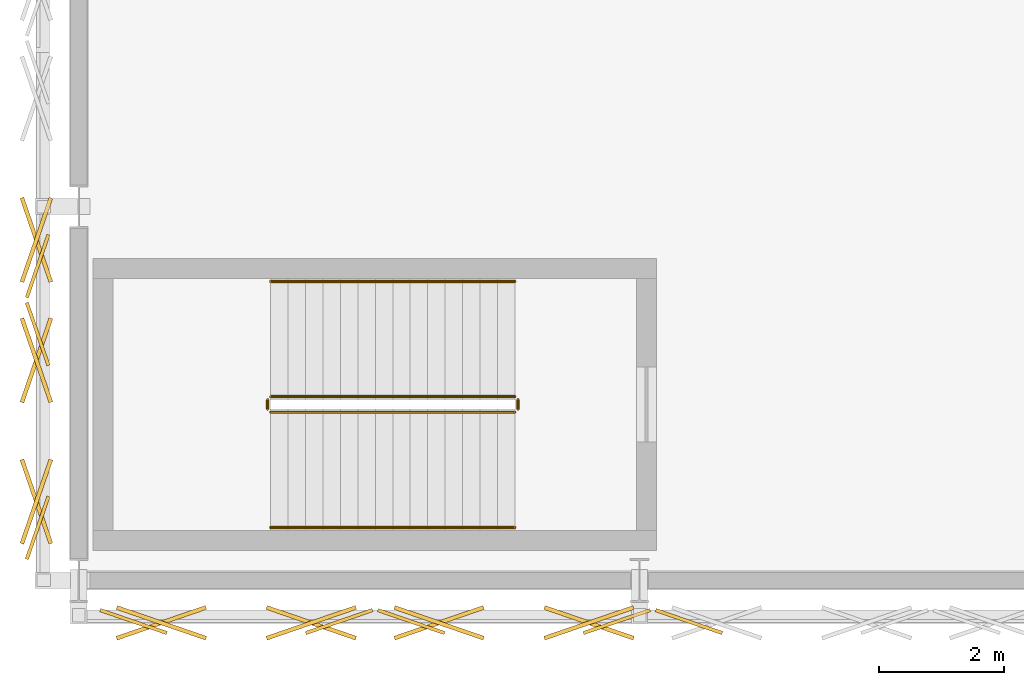
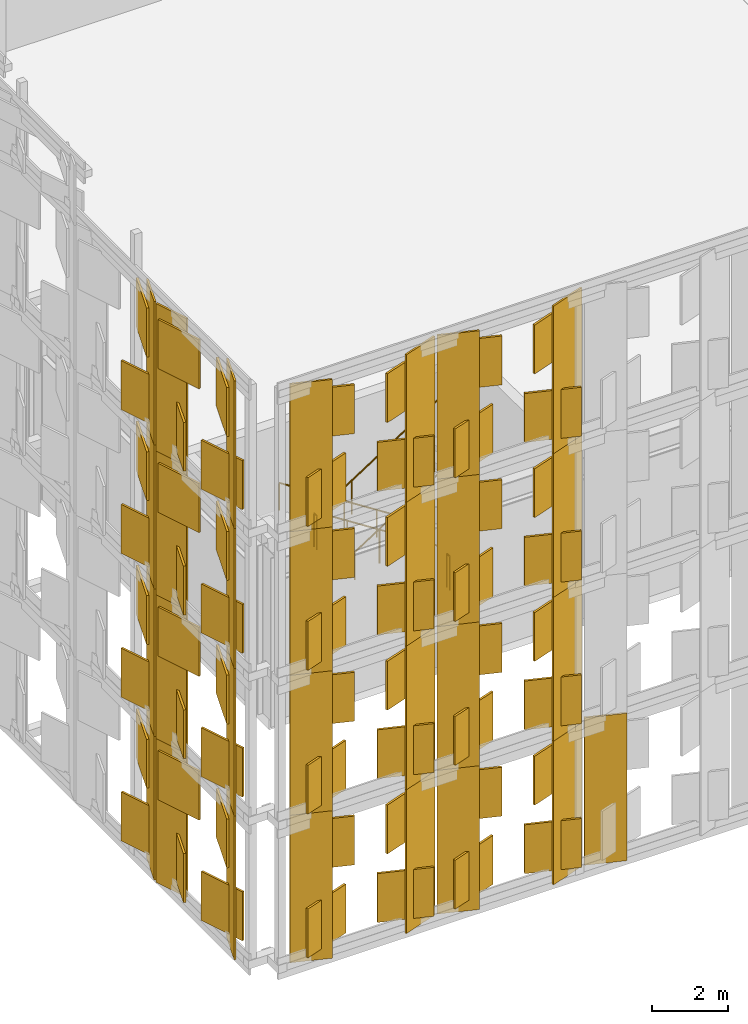
# One storey, part 214 of 239: 85 coverings, 6 railings.
"""IFC4 building model written with IfcOpenShell, lengths in metres."""

from ifc_helpers import new_model, si_unit, direction, frame, origin, origin_2d, place, context, subcontext, project, spatial, rectangle, circle, extrude, material, layer, layer_set, type_object, element, save


model = new_model("IFC4")

# Units and contexts
model_context = context("Model", 3, precision=1e-05, world=origin(), true_north=direction((0.0, 1.0)))
body_context = subcontext(model_context, "Body", "Model", "MODEL_VIEW")
ifc_project = project(units=[si_unit("LENGTHUNIT", "METRE"), si_unit("AREAUNIT", "SQUARE_METRE"), si_unit("VOLUMEUNIT", "CUBIC_METRE"), si_unit("PLANEANGLEUNIT", "RADIAN"), si_unit("MASSUNIT", "GRAM", prefix="KILO")], contexts=[model_context])

# Site, building, storey
site_placement = place(None, origin())
site = spatial("IfcSite", under=ifc_project, at=site_placement, CompositionType="ELEMENT")
building_placement = place(site_placement, origin())
building = spatial("IfcBuilding", under=site, at=building_placement, Name="Kaldris Quays Convention Centre", CompositionType="ELEMENT")
storey_placement = place(building_placement, frame((0.0, 0.0, 11.39990234375)))
storey = spatial("IfcBuildingStorey", under=building, at=storey_placement, Name="L02", CompositionType="ELEMENT", Elevation=11.39990234375)

# Railings
ifc_material_1 = material(Name="Steel S355J2", Category="steel")
railing_type_1 = type_object("IfcRailingType", Name="INTERIOR GUARDRAIL GR01", PredefinedType="GUARDRAIL", material=ifc_material_1)
railing_1_placement = place(storey_placement, frame((27.0, 18.949951171875, 0.18017578125)))
element("IfcRailing", 1, at=railing_1_placement, inside=storey, type_object=railing_type_1, Name="L02 ST05 Stair Guardrail 1", PredefinedType="GUARDRAIL", context=body_context, shape_type="SweptSolid", body=[
    extrude(circle(Radius=0.02392578125, at=origin_2d()), frame((0.0, 0.0, 1.076171875), z_axis=(-0.841171666519, 0.0, 0.540768182723), x_axis=(0.0, -1.0, 0.0)), (0.0, 0.0, 1.0), 4.66015625),
    extrude(circle(Radius=0.02099609375, at=origin_2d()), origin(), (0.0, 0.0, 1.0), 1.052001953125),
    extrude(circle(Radius=0.02099609375, at=origin_2d()), frame((-0.97998046875, 0.0, 0.6298828125)), (0.0, 0.0, 1.0), 1.052001953125),
    extrude(circle(Radius=0.02099609375, at=origin_2d()), frame((-1.9599609375, 0.0, 1.260009765625)), (0.0, 0.0, 1.0), 1.052001953125),
    extrude(circle(Radius=0.02099609375, at=origin_2d()), frame((-2.93994140625, 0.0, 1.89013671875)), (0.0, 0.0, 1.0), 1.052001953125),
    extrude(circle(Radius=0.02099609375, at=origin_2d()), frame((-3.919921875, 0.0, 2.52001953125)), (0.0, 0.0, 1.0), 1.052001953125),
])
railing_2_placement = place(storey_placement, frame((23.030029296875, 18.89990234375, 2.7001953125)))
element("IfcRailing", 2, at=railing_2_placement, inside=storey, type_object=railing_type_1, Name="L02 ST05 Stair Guardrail 2", PredefinedType="GUARDRAIL", context=body_context, shape_type="SweptSolid", body=[
    extrude(circle(Radius=0.02392578125, at=origin_2d()), frame((0.0, 0.0, 1.076171875), z_axis=(0.0, -1.0, 0.0), x_axis=(1.0, 0.0, 0.0)), (0.0, 0.0, 1.0), 0.14990234375),
    extrude(circle(Radius=0.02099609375, at=origin_2d()), origin(), (0.0, 0.0, 1.0), 1.052001953125),
    extrude(circle(Radius=0.02099609375, at=origin_2d()), frame((0.0, -0.14990234375, 0.0)), (0.0, 0.0, 1.0), 1.052001953125),
])
railing_3_placement = place(storey_placement, frame((23.080078125, 18.699951171875, 2.880126953125)))
element("IfcRailing", 3, at=railing_3_placement, inside=storey, type_object=railing_type_1, Name="L02 ST05 Stair Guardrail 3", PredefinedType="GUARDRAIL", context=body_context, shape_type="SweptSolid", body=[
    extrude(circle(Radius=0.02392578125, at=origin_2d()), frame((0.0, 0.0, 1.076171875), z_axis=(0.841171666519, 0.0, 0.540768182723), x_axis=(0.0, 1.0, 0.0)), (0.0, 0.0, 1.0), 4.66015625),
    extrude(circle(Radius=0.02099609375, at=origin_2d()), origin(), (0.0, 0.0, 1.0), 1.052001953125),
    extrude(circle(Radius=0.02099609375, at=origin_2d()), frame((0.97998046875, 0.0, 0.6298828125)), (0.0, 0.0, 1.0), 1.052001953125),
    extrude(circle(Radius=0.02099609375, at=origin_2d()), frame((1.9599609375, 0.0, 1.260009765625)), (0.0, 0.0, 1.0), 1.052001953125),
    extrude(circle(Radius=0.02099609375, at=origin_2d()), frame((2.93994140625, 0.0, 1.89013671875)), (0.0, 0.0, 1.0), 1.052001953125),
    extrude(circle(Radius=0.02099609375, at=origin_2d()), frame((3.919921875, 0.0, 2.52001953125)), (0.0, 0.0, 1.0), 1.052001953125),
])
railing_4_placement = place(storey_placement, frame((27.050048828125, 18.89990234375, 0.0)))
element("IfcRailing", 4, at=railing_4_placement, inside=storey, type_object=railing_type_1, Name="L02 ST05 Stair Guardrail 4", PredefinedType="GUARDRAIL", context=body_context, shape_type="SweptSolid", body=[
    extrude(circle(Radius=0.02392578125, at=origin_2d()), frame((0.0, 0.0, 1.076171875), z_axis=(0.0, -1.0, 0.0), x_axis=(1.0, 0.0, 0.0)), (0.0, 0.0, 1.0), 0.14990234375),
    extrude(circle(Radius=0.02099609375, at=origin_2d()), origin(), (0.0, 0.0, 1.0), 1.052001953125),
    extrude(circle(Radius=0.02099609375, at=origin_2d()), frame((0.0, -0.14990234375, 0.0)), (0.0, 0.0, 1.0), 1.052001953125),
])
ifc_material_2 = material(Name="Stainless steel 1.4301", Category="steel")
railing_type_2 = type_object("IfcRailingType", Name="STAIR HANDRAIL HR01", PredefinedType="HANDRAIL", material=ifc_material_2)
railing_5_placement = place(storey_placement, frame((27.0, 20.800048828125, 0.18017578125)))
element("IfcRailing", 5, at=railing_5_placement, inside=storey, type_object=railing_type_2, Name="L02 ST05 Flight Handrail 1", PredefinedType="HANDRAIL", context=body_context, shape_type="SweptSolid", body=[
    extrude(circle(Radius=0.02392578125, at=origin_2d()), frame((0.0, 0.0, 0.8759765625), z_axis=(-0.841171666519, 0.0, 0.540768182723), x_axis=(0.0, -1.0, 0.0)), (0.0, 0.0, 1.0), 4.66015625),
    extrude(circle(Radius=0.02099609375, at=origin_2d()), origin(), (0.0, 0.0, 1.0), 0.851806640625),
    extrude(circle(Radius=0.02099609375, at=origin_2d()), frame((-0.97998046875, 0.0, 0.6298828125)), (0.0, 0.0, 1.0), 0.851806640625),
    extrude(circle(Radius=0.02099609375, at=origin_2d()), frame((-1.9599609375, 0.0, 1.260009765625)), (0.0, 0.0, 1.0), 0.851806640625),
    extrude(circle(Radius=0.02099609375, at=origin_2d()), frame((-2.93994140625, 0.0, 1.89013671875)), (0.0, 0.0, 1.0), 0.851806640625),
    extrude(circle(Radius=0.02099609375, at=origin_2d()), frame((-3.919921875, 0.0, 2.52001953125)), (0.0, 0.0, 1.0), 0.851806640625),
])
railing_6_placement = place(storey_placement, frame((23.080078125, 16.85009765625, 2.880126953125)))
element("IfcRailing", 6, at=railing_6_placement, inside=storey, type_object=railing_type_2, Name="L02 ST05 Flight Handrail 2", PredefinedType="HANDRAIL", context=body_context, shape_type="SweptSolid", body=[
    extrude(circle(Radius=0.02392578125, at=origin_2d()), frame((0.0, 0.0, 0.8759765625), z_axis=(0.841171666519, 0.0, 0.540768182723), x_axis=(0.0, 1.0, 0.0)), (0.0, 0.0, 1.0), 4.66015625),
    extrude(circle(Radius=0.02099609375, at=origin_2d()), origin(), (0.0, 0.0, 1.0), 0.851806640625),
    extrude(circle(Radius=0.02099609375, at=origin_2d()), frame((0.97998046875, 0.0, 0.6298828125)), (0.0, 0.0, 1.0), 0.851806640625),
    extrude(circle(Radius=0.02099609375, at=origin_2d()), frame((1.9599609375, 0.0, 1.260009765625)), (0.0, 0.0, 1.0), 0.851806640625),
    extrude(circle(Radius=0.02099609375, at=origin_2d()), frame((2.93994140625, 0.0, 1.89013671875)), (0.0, 0.0, 1.0), 0.851806640625),
    extrude(circle(Radius=0.02099609375, at=origin_2d()), frame((3.919921875, 0.0, 2.52001953125)), (0.0, 0.0, 1.0), 0.851806640625),
])

# Coverings
ifc_material_3 = material(Name="Alabaster white star-pierced anodized aluminium panel", Category="aluminium")
ifc_layer = layer(ifc_material_3, 0.044921875)
ifc_layer_set = layer_set([ifc_layer], Name="Alabaster white star-pierced anodized aluminium panel")
covering_type = type_object("IfcCoveringType", Name="STAR PIERCED WHITE FOLDED SCREEN CL01", PredefinedType="CLADDING", material=ifc_layer_set)
for number, where, z_axis, x_axis, name in (
    (7, (20.87939453125, 15.340087890625, -7.60986328125), (0.0, 0.0, 1.0), (0.945518575599, -0.325568154457, 0.0), "V3S Folded White Screen Stile 2719"),
    (8, (24.177734375, 15.340087890625, -7.60986328125), (0.0, 0.0, 1.0), (0.945518575599, 0.325568154457, 0.0), "V3S Folded White Screen Stile 2720"),
):
    element("IfcCovering", number, at=place(storey_placement, frame(where, z_axis=z_axis, x_axis=x_axis)), inside=storey, type_object=covering_type, Name=name, PredefinedType="CLADDING", context=body_context, shape_type="SweptSolid", body=[
        extrude(rectangle(XDim=1.131103515625, YDim=0.054931640625, at=origin_2d()), origin(), (0.0, 0.0, 1.0), 4.719970703125),
    ])
for number, where, z_axis, x_axis, name in (
    (9, (21.3251953125, 15.320068359375, -7.27392578125), (0.0, 0.0, 1.0), (0.945518575599, 0.325568154457, 0.0), "V3S Carved Star Corner Facet 2721"),
    (10, (21.3251953125, 15.320068359375, -4.789794921875), (0.0, 0.0, 1.0), (0.945518575599, -0.325568154457, 0.0), "V3S Carved Star Corner Facet 2722"),
    (11, (23.73193359375, 15.320068359375, -7.27392578125), (0.0, 0.0, 1.0), (0.945518575599, -0.325568154457, 0.0), "V3S Carved Star Corner Facet 2723"),
    (12, (23.73193359375, 15.320068359375, -4.789794921875), (0.0, 0.0, 1.0), (0.945518575599, 0.325568154457, 0.0), "V3S Carved Star Corner Facet 2724"),
):
    element("IfcCovering", number, at=place(storey_placement, frame(where, z_axis=z_axis, x_axis=x_axis)), inside=storey, type_object=covering_type, Name=name, PredefinedType="CLADDING", context=body_context, shape_type="SweptSolid", body=[
        extrude(rectangle(XDim=1.514892578125, YDim=0.06494140625, at=origin_2d()), origin(), (0.0, 0.0, 1.0), 1.56396484375),
    ])
for number, where, z_axis, x_axis, name in (
    (13, (20.87939453125, 15.340087890625, -3.009765625), (0.0, 0.0, 1.0), (0.945518575599, -0.325568154457, 0.0), "V3S Folded White Screen Stile 2725"),
    (14, (24.177734375, 15.340087890625, -3.009765625), (0.0, 0.0, 1.0), (0.945518575599, 0.325568154457, 0.0), "V3S Folded White Screen Stile 2726"),
):
    element("IfcCovering", number, at=place(storey_placement, frame(where, z_axis=z_axis, x_axis=x_axis)), inside=storey, type_object=covering_type, Name=name, PredefinedType="CLADDING", context=body_context, shape_type="SweptSolid", body=[
        extrude(rectangle(XDim=1.131103515625, YDim=0.054931640625, at=origin_2d()), origin(), (0.0, 0.0, 1.0), 4.719970703125),
    ])
for number, where, z_axis, x_axis, name in (
    (15, (21.3251953125, 15.320068359375, -2.673828125), (0.0, 0.0, 1.0), (0.945518575599, 0.325568154457, 0.0), "V3S Carved Star Corner Facet 2727"),
    (16, (21.3251953125, 15.320068359375, -0.18994140625), (0.0, 0.0, 1.0), (0.945518575599, -0.325568154457, 0.0), "V3S Carved Star Corner Facet 2728"),
    (17, (23.73193359375, 15.320068359375, -2.673828125), (0.0, 0.0, 1.0), (0.945518575599, -0.325568154457, 0.0), "V3S Carved Star Corner Facet 2729"),
    (18, (23.73193359375, 15.320068359375, -0.18994140625), (0.0, 0.0, 1.0), (0.945518575599, 0.325568154457, 0.0), "V3S Carved Star Corner Facet 2730"),
):
    element("IfcCovering", number, at=place(storey_placement, frame(where, z_axis=z_axis, x_axis=x_axis)), inside=storey, type_object=covering_type, Name=name, PredefinedType="CLADDING", context=body_context, shape_type="SweptSolid", body=[
        extrude(rectangle(XDim=1.514892578125, YDim=0.06494140625, at=origin_2d()), origin(), (0.0, 0.0, 1.0), 1.56396484375),
    ])
for number, where, z_axis, x_axis, name in (
    (19, (20.87939453125, 15.340087890625, 1.59033203125), (0.0, 0.0, 1.0), (0.945518575599, -0.325568154457, 0.0), "V3S Folded White Screen Stile 2731"),
    (20, (24.177734375, 15.340087890625, 1.59033203125), (0.0, 0.0, 1.0), (0.945518575599, 0.325568154457, 0.0), "V3S Folded White Screen Stile 2732"),
):
    element("IfcCovering", number, at=place(storey_placement, frame(where, z_axis=z_axis, x_axis=x_axis)), inside=storey, type_object=covering_type, Name=name, PredefinedType="CLADDING", context=body_context, shape_type="SweptSolid", body=[
        extrude(rectangle(XDim=1.131103515625, YDim=0.054931640625, at=origin_2d()), origin(), (0.0, 0.0, 1.0), 4.719970703125),
    ])
for number, where, z_axis, x_axis, name in (
    (21, (21.3251953125, 15.320068359375, 1.926025390625), (0.0, 0.0, 1.0), (0.945518575599, 0.325568154457, 0.0), "V3S Carved Star Corner Facet 2733"),
    (22, (21.3251953125, 15.320068359375, 4.41015625), (0.0, 0.0, 1.0), (0.945518575599, -0.325568154457, 0.0), "V3S Carved Star Corner Facet 2734"),
    (23, (23.73193359375, 15.320068359375, 1.926025390625), (0.0, 0.0, 1.0), (0.945518575599, -0.325568154457, 0.0), "V3S Carved Star Corner Facet 2735"),
    (24, (23.73193359375, 15.320068359375, 4.41015625), (0.0, 0.0, 1.0), (0.945518575599, 0.325568154457, 0.0), "V3S Carved Star Corner Facet 2736"),
):
    element("IfcCovering", number, at=place(storey_placement, frame(where, z_axis=z_axis, x_axis=x_axis)), inside=storey, type_object=covering_type, Name=name, PredefinedType="CLADDING", context=body_context, shape_type="SweptSolid", body=[
        extrude(rectangle(XDim=1.514892578125, YDim=0.06494140625, at=origin_2d()), origin(), (0.0, 0.0, 1.0), 1.56396484375),
    ])
for number, where, z_axis, x_axis, name in (
    (25, (20.87939453125, 15.340087890625, 6.18994140625), (0.0, 0.0, 1.0), (0.945518575599, -0.325568154457, 0.0), "V3S Folded White Screen Stile 2737"),
    (26, (24.177734375, 15.340087890625, 6.18994140625), (0.0, 0.0, 1.0), (0.945518575599, 0.325568154457, 0.0), "V3S Folded White Screen Stile 2738"),
):
    element("IfcCovering", number, at=place(storey_placement, frame(where, z_axis=z_axis, x_axis=x_axis)), inside=storey, type_object=covering_type, Name=name, PredefinedType="CLADDING", context=body_context, shape_type="SweptSolid", body=[
        extrude(rectangle(XDim=1.131103515625, YDim=0.054931640625, at=origin_2d()), origin(), (0.0, 0.0, 1.0), 4.719970703125),
    ])
for number, where, z_axis, x_axis, name in (
    (27, (21.3251953125, 15.320068359375, 6.526123046875), (0.0, 0.0, 1.0), (0.945518575599, 0.325568154457, 0.0), "V3S Carved Star Corner Facet 2739"),
    (28, (21.3251953125, 15.320068359375, 9.010009765625), (0.0, 0.0, 1.0), (0.945518575599, -0.325568154457, 0.0), "V3S Carved Star Corner Facet 2740"),
    (29, (23.73193359375, 15.320068359375, 6.526123046875), (0.0, 0.0, 1.0), (0.945518575599, -0.325568154457, 0.0), "V3S Carved Star Corner Facet 2741"),
    (30, (23.73193359375, 15.320068359375, 9.010009765625), (0.0, 0.0, 1.0), (0.945518575599, 0.325568154457, 0.0), "V3S Carved Star Corner Facet 2742"),
):
    element("IfcCovering", number, at=place(storey_placement, frame(where, z_axis=z_axis, x_axis=x_axis)), inside=storey, type_object=covering_type, Name=name, PredefinedType="CLADDING", context=body_context, shape_type="SweptSolid", body=[
        extrude(rectangle(XDim=1.514892578125, YDim=0.06494140625, at=origin_2d()), origin(), (0.0, 0.0, 1.0), 1.56396484375),
    ])
for number, where, z_axis, x_axis, name in (
    (31, (25.336669921875, 15.340087890625, -7.60986328125), (0.0, 0.0, 1.0), (0.945518575599, -0.325568154457, 0.0), "V3S Folded White Screen Stile 2743"),
    (32, (28.635009765625, 15.340087890625, -7.60986328125), (0.0, 0.0, 1.0), (0.945518575599, 0.325568154457, 0.0), "V3S Folded White Screen Stile 2744"),
):
    element("IfcCovering", number, at=place(storey_placement, frame(where, z_axis=z_axis, x_axis=x_axis)), inside=storey, type_object=covering_type, Name=name, PredefinedType="CLADDING", context=body_context, shape_type="SweptSolid", body=[
        extrude(rectangle(XDim=1.131103515625, YDim=0.054931640625, at=origin_2d()), origin(), (0.0, 0.0, 1.0), 4.719970703125),
    ])
for number, where, z_axis, x_axis, name in (
    (33, (25.7822265625, 15.320068359375, -7.27392578125), (0.0, 0.0, 1.0), (0.945518575599, 0.325568154457, 0.0), "V3S Carved Star Corner Facet 2745"),
    (34, (25.7822265625, 15.320068359375, -4.789794921875), (0.0, 0.0, 1.0), (0.945518575599, -0.325568154457, 0.0), "V3S Carved Star Corner Facet 2746"),
    (35, (28.189208984375, 15.320068359375, -7.27392578125), (0.0, 0.0, 1.0), (0.945518575599, -0.325568154457, 0.0), "V3S Carved Star Corner Facet 2747"),
    (36, (28.189208984375, 15.320068359375, -4.789794921875), (0.0, 0.0, 1.0), (0.945518575599, 0.325568154457, 0.0), "V3S Carved Star Corner Facet 2748"),
):
    element("IfcCovering", number, at=place(storey_placement, frame(where, z_axis=z_axis, x_axis=x_axis)), inside=storey, type_object=covering_type, Name=name, PredefinedType="CLADDING", context=body_context, shape_type="SweptSolid", body=[
        extrude(rectangle(XDim=1.514892578125, YDim=0.06494140625, at=origin_2d()), origin(), (0.0, 0.0, 1.0), 1.56396484375),
    ])
for number, where, z_axis, x_axis, name in (
    (37, (25.336669921875, 15.340087890625, -3.009765625), (0.0, 0.0, 1.0), (0.945518575599, -0.325568154457, 0.0), "V3S Folded White Screen Stile 2749"),
    (38, (28.635009765625, 15.340087890625, -3.009765625), (0.0, 0.0, 1.0), (0.945518575599, 0.325568154457, 0.0), "V3S Folded White Screen Stile 2750"),
):
    element("IfcCovering", number, at=place(storey_placement, frame(where, z_axis=z_axis, x_axis=x_axis)), inside=storey, type_object=covering_type, Name=name, PredefinedType="CLADDING", context=body_context, shape_type="SweptSolid", body=[
        extrude(rectangle(XDim=1.131103515625, YDim=0.054931640625, at=origin_2d()), origin(), (0.0, 0.0, 1.0), 4.719970703125),
    ])
for number, where, z_axis, x_axis, name in (
    (39, (25.7822265625, 15.320068359375, -2.673828125), (0.0, 0.0, 1.0), (0.945518575599, 0.325568154457, 0.0), "V3S Carved Star Corner Facet 2751"),
    (40, (25.7822265625, 15.320068359375, -0.18994140625), (0.0, 0.0, 1.0), (0.945518575599, -0.325568154457, 0.0), "V3S Carved Star Corner Facet 2752"),
    (41, (28.189208984375, 15.320068359375, -2.673828125), (0.0, 0.0, 1.0), (0.945518575599, -0.325568154457, 0.0), "V3S Carved Star Corner Facet 2753"),
    (42, (28.189208984375, 15.320068359375, -0.18994140625), (0.0, 0.0, 1.0), (0.945518575599, 0.325568154457, 0.0), "V3S Carved Star Corner Facet 2754"),
):
    element("IfcCovering", number, at=place(storey_placement, frame(where, z_axis=z_axis, x_axis=x_axis)), inside=storey, type_object=covering_type, Name=name, PredefinedType="CLADDING", context=body_context, shape_type="SweptSolid", body=[
        extrude(rectangle(XDim=1.514892578125, YDim=0.06494140625, at=origin_2d()), origin(), (0.0, 0.0, 1.0), 1.56396484375),
    ])
for number, where, z_axis, x_axis, name in (
    (43, (25.336669921875, 15.340087890625, 1.59033203125), (0.0, 0.0, 1.0), (0.945518575599, -0.325568154457, 0.0), "V3S Folded White Screen Stile 2755"),
    (44, (28.635009765625, 15.340087890625, 1.59033203125), (0.0, 0.0, 1.0), (0.945518575599, 0.325568154457, 0.0), "V3S Folded White Screen Stile 2756"),
):
    element("IfcCovering", number, at=place(storey_placement, frame(where, z_axis=z_axis, x_axis=x_axis)), inside=storey, type_object=covering_type, Name=name, PredefinedType="CLADDING", context=body_context, shape_type="SweptSolid", body=[
        extrude(rectangle(XDim=1.131103515625, YDim=0.054931640625, at=origin_2d()), origin(), (0.0, 0.0, 1.0), 4.719970703125),
    ])
for number, where, z_axis, x_axis, name in (
    (45, (25.7822265625, 15.320068359375, 1.926025390625), (0.0, 0.0, 1.0), (0.945518575599, 0.325568154457, 0.0), "V3S Carved Star Corner Facet 2757"),
    (46, (25.7822265625, 15.320068359375, 4.41015625), (0.0, 0.0, 1.0), (0.945518575599, -0.325568154457, 0.0), "V3S Carved Star Corner Facet 2758"),
    (47, (28.189208984375, 15.320068359375, 1.926025390625), (0.0, 0.0, 1.0), (0.945518575599, -0.325568154457, 0.0), "V3S Carved Star Corner Facet 2759"),
    (48, (28.189208984375, 15.320068359375, 4.41015625), (0.0, 0.0, 1.0), (0.945518575599, 0.325568154457, 0.0), "V3S Carved Star Corner Facet 2760"),
):
    element("IfcCovering", number, at=place(storey_placement, frame(where, z_axis=z_axis, x_axis=x_axis)), inside=storey, type_object=covering_type, Name=name, PredefinedType="CLADDING", context=body_context, shape_type="SweptSolid", body=[
        extrude(rectangle(XDim=1.514892578125, YDim=0.06494140625, at=origin_2d()), origin(), (0.0, 0.0, 1.0), 1.56396484375),
    ])
for number, where, z_axis, x_axis, name in (
    (49, (25.336669921875, 15.340087890625, 6.18994140625), (0.0, 0.0, 1.0), (0.945518575599, -0.325568154457, 0.0), "V3S Folded White Screen Stile 2761"),
    (50, (28.635009765625, 15.340087890625, 6.18994140625), (0.0, 0.0, 1.0), (0.945518575599, 0.325568154457, 0.0), "V3S Folded White Screen Stile 2762"),
):
    element("IfcCovering", number, at=place(storey_placement, frame(where, z_axis=z_axis, x_axis=x_axis)), inside=storey, type_object=covering_type, Name=name, PredefinedType="CLADDING", context=body_context, shape_type="SweptSolid", body=[
        extrude(rectangle(XDim=1.131103515625, YDim=0.054931640625, at=origin_2d()), origin(), (0.0, 0.0, 1.0), 4.719970703125),
    ])
for number, where, z_axis, x_axis, name in (
    (51, (25.7822265625, 15.320068359375, 6.526123046875), (0.0, 0.0, 1.0), (0.945518575599, 0.325568154457, 0.0), "V3S Carved Star Corner Facet 2763"),
    (52, (25.7822265625, 15.320068359375, 9.010009765625), (0.0, 0.0, 1.0), (0.945518575599, -0.325568154457, 0.0), "V3S Carved Star Corner Facet 2764"),
    (53, (28.189208984375, 15.320068359375, 6.526123046875), (0.0, 0.0, 1.0), (0.945518575599, -0.325568154457, 0.0), "V3S Carved Star Corner Facet 2765"),
    (54, (28.189208984375, 15.320068359375, 9.010009765625), (0.0, 0.0, 1.0), (0.945518575599, 0.325568154457, 0.0), "V3S Carved Star Corner Facet 2766"),
):
    element("IfcCovering", number, at=place(storey_placement, frame(where, z_axis=z_axis, x_axis=x_axis)), inside=storey, type_object=covering_type, Name=name, PredefinedType="CLADDING", context=body_context, shape_type="SweptSolid", body=[
        extrude(rectangle(XDim=1.514892578125, YDim=0.06494140625, at=origin_2d()), origin(), (0.0, 0.0, 1.0), 1.56396484375),
    ])
covering_1_placement = place(storey_placement, frame((29.793701171875, 15.340087890625, -7.60986328125), z_axis=(0.0, 0.0, 1.0), x_axis=(0.945518575599, -0.325568154457, 0.0)))
element("IfcCovering", 55, at=covering_1_placement, inside=storey, type_object=covering_type, Name="V3S Folded White Screen Stile 2767", PredefinedType="CLADDING", context=body_context, shape_type="SweptSolid", body=[
    extrude(rectangle(XDim=1.131103515625, YDim=0.054931640625, at=origin_2d()), origin(), (0.0, 0.0, 1.0), 4.719970703125),
])
for number, where, z_axis, x_axis, name in (
    (56, (19.340087890625, 16.845947265625, -7.60986328125), (0.0, 0.0, 1.0), (0.325568154457, 0.945518575599, 0.0), "V3W Folded White Screen Stile 3260"),
    (57, (19.340087890625, 19.9541015625, -7.60986328125), (0.0, 0.0, 1.0), (-0.325568154457, 0.945518575599, 0.0), "V3W Folded White Screen Stile 3261"),
):
    element("IfcCovering", number, at=place(storey_placement, frame(where, z_axis=z_axis, x_axis=x_axis)), inside=storey, type_object=covering_type, Name=name, PredefinedType="CLADDING", context=body_context, shape_type="SweptSolid", body=[
        extrude(rectangle(XDim=1.06591796875, YDim=0.054931640625, at=origin_2d()), origin(), (0.0, 0.0, 1.0), 4.719970703125),
    ])
for number, where, z_axis, x_axis, name in (
    (58, (19.320068359375, 17.26611328125, -7.27392578125), (0.0, 0.0, 1.0), (-0.325568154457, 0.945518575599, 0.0), "V3W Carved Star Corner Facet 3262"),
    (59, (19.320068359375, 17.26611328125, -4.789794921875), (0.0, 0.0, 1.0), (0.325568154457, 0.945518575599, 0.0), "V3W Carved Star Corner Facet 3263"),
    (60, (19.320068359375, 19.533935546875, -7.27392578125), (0.0, 0.0, 1.0), (0.325568154457, 0.945518575599, 0.0), "V3W Carved Star Corner Facet 3264"),
    (61, (19.320068359375, 19.533935546875, -4.789794921875), (0.0, 0.0, 1.0), (-0.325568154457, 0.945518575599, 0.0), "V3W Carved Star Corner Facet 3265"),
):
    element("IfcCovering", number, at=place(storey_placement, frame(where, z_axis=z_axis, x_axis=x_axis)), inside=storey, type_object=covering_type, Name=name, PredefinedType="CLADDING", context=body_context, shape_type="SweptSolid", body=[
        extrude(rectangle(XDim=1.427978515625, YDim=0.06494140625, at=origin_2d()), origin(), (0.0, 0.0, 1.0), 1.56396484375),
    ])
for number, where, z_axis, x_axis, name in (
    (62, (19.340087890625, 16.845947265625, -3.009765625), (0.0, 0.0, 1.0), (0.325568154457, 0.945518575599, 0.0), "V3W Folded White Screen Stile 3266"),
    (63, (19.340087890625, 19.9541015625, -3.009765625), (0.0, 0.0, 1.0), (-0.325568154457, 0.945518575599, 0.0), "V3W Folded White Screen Stile 3267"),
):
    element("IfcCovering", number, at=place(storey_placement, frame(where, z_axis=z_axis, x_axis=x_axis)), inside=storey, type_object=covering_type, Name=name, PredefinedType="CLADDING", context=body_context, shape_type="SweptSolid", body=[
        extrude(rectangle(XDim=1.06591796875, YDim=0.054931640625, at=origin_2d()), origin(), (0.0, 0.0, 1.0), 4.719970703125),
    ])
for number, where, z_axis, x_axis, name in (
    (64, (19.320068359375, 17.26611328125, -2.673828125), (0.0, 0.0, 1.0), (-0.325568154457, 0.945518575599, 0.0), "V3W Carved Star Corner Facet 3268"),
    (65, (19.320068359375, 17.26611328125, -0.18994140625), (0.0, 0.0, 1.0), (0.325568154457, 0.945518575599, 0.0), "V3W Carved Star Corner Facet 3269"),
    (66, (19.320068359375, 19.533935546875, -2.673828125), (0.0, 0.0, 1.0), (0.325568154457, 0.945518575599, 0.0), "V3W Carved Star Corner Facet 3270"),
    (67, (19.320068359375, 19.533935546875, -0.18994140625), (0.0, 0.0, 1.0), (-0.325568154457, 0.945518575599, 0.0), "V3W Carved Star Corner Facet 3271"),
):
    element("IfcCovering", number, at=place(storey_placement, frame(where, z_axis=z_axis, x_axis=x_axis)), inside=storey, type_object=covering_type, Name=name, PredefinedType="CLADDING", context=body_context, shape_type="SweptSolid", body=[
        extrude(rectangle(XDim=1.427978515625, YDim=0.06494140625, at=origin_2d()), origin(), (0.0, 0.0, 1.0), 1.56396484375),
    ])
for number, where, z_axis, x_axis, name in (
    (68, (19.340087890625, 16.845947265625, 1.59033203125), (0.0, 0.0, 1.0), (0.325568154457, 0.945518575599, 0.0), "V3W Folded White Screen Stile 3272"),
    (69, (19.340087890625, 19.9541015625, 1.59033203125), (0.0, 0.0, 1.0), (-0.325568154457, 0.945518575599, 0.0), "V3W Folded White Screen Stile 3273"),
):
    element("IfcCovering", number, at=place(storey_placement, frame(where, z_axis=z_axis, x_axis=x_axis)), inside=storey, type_object=covering_type, Name=name, PredefinedType="CLADDING", context=body_context, shape_type="SweptSolid", body=[
        extrude(rectangle(XDim=1.06591796875, YDim=0.054931640625, at=origin_2d()), origin(), (0.0, 0.0, 1.0), 4.719970703125),
    ])
for number, where, z_axis, x_axis, name in (
    (70, (19.320068359375, 17.26611328125, 1.926025390625), (0.0, 0.0, 1.0), (-0.325568154457, 0.945518575599, 0.0), "V3W Carved Star Corner Facet 3274"),
    (71, (19.320068359375, 17.26611328125, 4.41015625), (0.0, 0.0, 1.0), (0.325568154457, 0.945518575599, 0.0), "V3W Carved Star Corner Facet 3275"),
    (72, (19.320068359375, 19.533935546875, 1.926025390625), (0.0, 0.0, 1.0), (0.325568154457, 0.945518575599, 0.0), "V3W Carved Star Corner Facet 3276"),
    (73, (19.320068359375, 19.533935546875, 4.41015625), (0.0, 0.0, 1.0), (-0.325568154457, 0.945518575599, 0.0), "V3W Carved Star Corner Facet 3277"),
):
    element("IfcCovering", number, at=place(storey_placement, frame(where, z_axis=z_axis, x_axis=x_axis)), inside=storey, type_object=covering_type, Name=name, PredefinedType="CLADDING", context=body_context, shape_type="SweptSolid", body=[
        extrude(rectangle(XDim=1.427978515625, YDim=0.06494140625, at=origin_2d()), origin(), (0.0, 0.0, 1.0), 1.56396484375),
    ])
for number, where, z_axis, x_axis, name in (
    (74, (19.340087890625, 16.845947265625, 6.18994140625), (0.0, 0.0, 1.0), (0.325568154457, 0.945518575599, 0.0), "V3W Folded White Screen Stile 3278"),
    (75, (19.340087890625, 19.9541015625, 6.18994140625), (0.0, 0.0, 1.0), (-0.325568154457, 0.945518575599, 0.0), "V3W Folded White Screen Stile 3279"),
):
    element("IfcCovering", number, at=place(storey_placement, frame(where, z_axis=z_axis, x_axis=x_axis)), inside=storey, type_object=covering_type, Name=name, PredefinedType="CLADDING", context=body_context, shape_type="SweptSolid", body=[
        extrude(rectangle(XDim=1.06591796875, YDim=0.054931640625, at=origin_2d()), origin(), (0.0, 0.0, 1.0), 4.719970703125),
    ])
for number, where, z_axis, x_axis, name in (
    (76, (19.320068359375, 17.26611328125, 6.526123046875), (0.0, 0.0, 1.0), (-0.325568154457, 0.945518575599, 0.0), "V3W Carved Star Corner Facet 3280"),
    (77, (19.320068359375, 17.26611328125, 9.010009765625), (0.0, 0.0, 1.0), (0.325568154457, 0.945518575599, 0.0), "V3W Carved Star Corner Facet 3281"),
    (78, (19.320068359375, 19.533935546875, 6.526123046875), (0.0, 0.0, 1.0), (0.325568154457, 0.945518575599, 0.0), "V3W Carved Star Corner Facet 3282"),
    (79, (19.320068359375, 19.533935546875, 9.010009765625), (0.0, 0.0, 1.0), (-0.325568154457, 0.945518575599, 0.0), "V3W Carved Star Corner Facet 3283"),
):
    element("IfcCovering", number, at=place(storey_placement, frame(where, z_axis=z_axis, x_axis=x_axis)), inside=storey, type_object=covering_type, Name=name, PredefinedType="CLADDING", context=body_context, shape_type="SweptSolid", body=[
        extrude(rectangle(XDim=1.427978515625, YDim=0.06494140625, at=origin_2d()), origin(), (0.0, 0.0, 1.0), 1.56396484375),
    ])
covering_2_placement = place(storey_placement, frame((19.340087890625, 21.0458984375, -7.60986328125), z_axis=(0.0, 0.0, 1.0), x_axis=(0.325568154457, 0.945518575599, 0.0)))
element("IfcCovering", 80, at=covering_2_placement, inside=storey, type_object=covering_type, Name="V3W Folded White Screen Stile 3284", PredefinedType="CLADDING", context=body_context, shape_type="SweptSolid", body=[
    extrude(rectangle(XDim=1.06591796875, YDim=0.054931640625, at=origin_2d()), origin(), (0.0, 0.0, 1.0), 4.719970703125),
])
for number, where, z_axis, x_axis, name in (
    (81, (19.320068359375, 21.466064453125, -7.27392578125), (0.0, 0.0, 1.0), (-0.325568154457, 0.945518575599, 0.0), "V3W Carved Star Corner Facet 3286"),
    (82, (19.320068359375, 21.466064453125, -4.789794921875), (0.0, 0.0, 1.0), (0.325568154457, 0.945518575599, 0.0), "V3W Carved Star Corner Facet 3287"),
):
    element("IfcCovering", number, at=place(storey_placement, frame(where, z_axis=z_axis, x_axis=x_axis)), inside=storey, type_object=covering_type, Name=name, PredefinedType="CLADDING", context=body_context, shape_type="SweptSolid", body=[
        extrude(rectangle(XDim=1.427978515625, YDim=0.06494140625, at=origin_2d()), origin(), (0.0, 0.0, 1.0), 1.56396484375),
    ])
covering_3_placement = place(storey_placement, frame((19.340087890625, 21.0458984375, -3.009765625), z_axis=(0.0, 0.0, 1.0), x_axis=(0.325568154457, 0.945518575599, 0.0)))
element("IfcCovering", 83, at=covering_3_placement, inside=storey, type_object=covering_type, Name="V3W Folded White Screen Stile 3290", PredefinedType="CLADDING", context=body_context, shape_type="SweptSolid", body=[
    extrude(rectangle(XDim=1.06591796875, YDim=0.054931640625, at=origin_2d()), origin(), (0.0, 0.0, 1.0), 4.719970703125),
])
for number, where, z_axis, x_axis, name in (
    (84, (19.320068359375, 21.466064453125, -2.673828125), (0.0, 0.0, 1.0), (-0.325568154457, 0.945518575599, 0.0), "V3W Carved Star Corner Facet 3292"),
    (85, (19.320068359375, 21.466064453125, -0.18994140625), (0.0, 0.0, 1.0), (0.325568154457, 0.945518575599, 0.0), "V3W Carved Star Corner Facet 3293"),
):
    element("IfcCovering", number, at=place(storey_placement, frame(where, z_axis=z_axis, x_axis=x_axis)), inside=storey, type_object=covering_type, Name=name, PredefinedType="CLADDING", context=body_context, shape_type="SweptSolid", body=[
        extrude(rectangle(XDim=1.427978515625, YDim=0.06494140625, at=origin_2d()), origin(), (0.0, 0.0, 1.0), 1.56396484375),
    ])
covering_4_placement = place(storey_placement, frame((19.340087890625, 21.0458984375, 1.59033203125), z_axis=(0.0, 0.0, 1.0), x_axis=(0.325568154457, 0.945518575599, 0.0)))
element("IfcCovering", 86, at=covering_4_placement, inside=storey, type_object=covering_type, Name="V3W Folded White Screen Stile 3296", PredefinedType="CLADDING", context=body_context, shape_type="SweptSolid", body=[
    extrude(rectangle(XDim=1.06591796875, YDim=0.054931640625, at=origin_2d()), origin(), (0.0, 0.0, 1.0), 4.719970703125),
])
for number, where, z_axis, x_axis, name in (
    (87, (19.320068359375, 21.466064453125, 1.926025390625), (0.0, 0.0, 1.0), (-0.325568154457, 0.945518575599, 0.0), "V3W Carved Star Corner Facet 3298"),
    (88, (19.320068359375, 21.466064453125, 4.41015625), (0.0, 0.0, 1.0), (0.325568154457, 0.945518575599, 0.0), "V3W Carved Star Corner Facet 3299"),
):
    element("IfcCovering", number, at=place(storey_placement, frame(where, z_axis=z_axis, x_axis=x_axis)), inside=storey, type_object=covering_type, Name=name, PredefinedType="CLADDING", context=body_context, shape_type="SweptSolid", body=[
        extrude(rectangle(XDim=1.427978515625, YDim=0.06494140625, at=origin_2d()), origin(), (0.0, 0.0, 1.0), 1.56396484375),
    ])
covering_5_placement = place(storey_placement, frame((19.340087890625, 21.0458984375, 6.18994140625), z_axis=(0.0, 0.0, 1.0), x_axis=(0.325568154457, 0.945518575599, 0.0)))
element("IfcCovering", 89, at=covering_5_placement, inside=storey, type_object=covering_type, Name="V3W Folded White Screen Stile 3302", PredefinedType="CLADDING", context=body_context, shape_type="SweptSolid", body=[
    extrude(rectangle(XDim=1.06591796875, YDim=0.054931640625, at=origin_2d()), origin(), (0.0, 0.0, 1.0), 4.719970703125),
])
for number, where, z_axis, x_axis, name in (
    (90, (19.320068359375, 21.466064453125, 6.526123046875), (0.0, 0.0, 1.0), (-0.325568154457, 0.945518575599, 0.0), "V3W Carved Star Corner Facet 3304"),
    (91, (19.320068359375, 21.466064453125, 9.010009765625), (0.0, 0.0, 1.0), (0.325568154457, 0.945518575599, 0.0), "V3W Carved Star Corner Facet 3305"),
):
    element("IfcCovering", number, at=place(storey_placement, frame(where, z_axis=z_axis, x_axis=x_axis)), inside=storey, type_object=covering_type, Name=name, PredefinedType="CLADDING", context=body_context, shape_type="SweptSolid", body=[
        extrude(rectangle(XDim=1.427978515625, YDim=0.06494140625, at=origin_2d()), origin(), (0.0, 0.0, 1.0), 1.56396484375),
    ])

save(model, "model.ifc")
